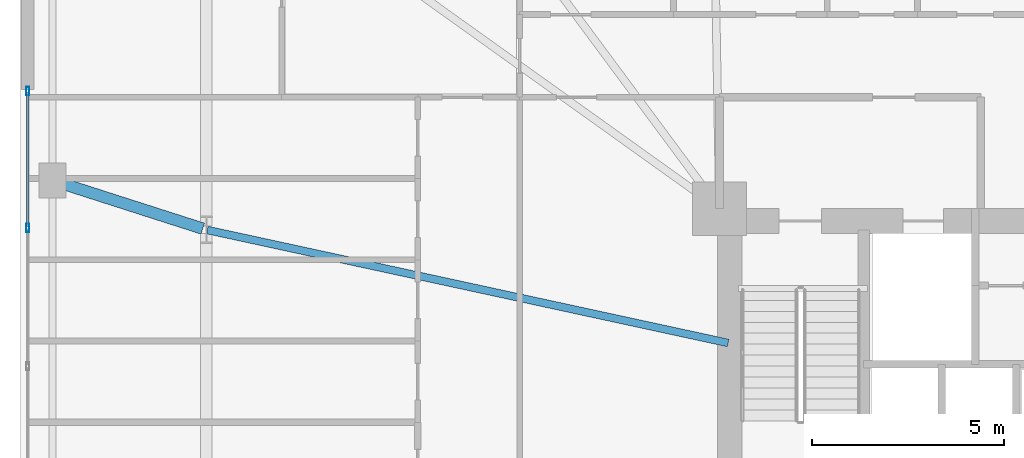
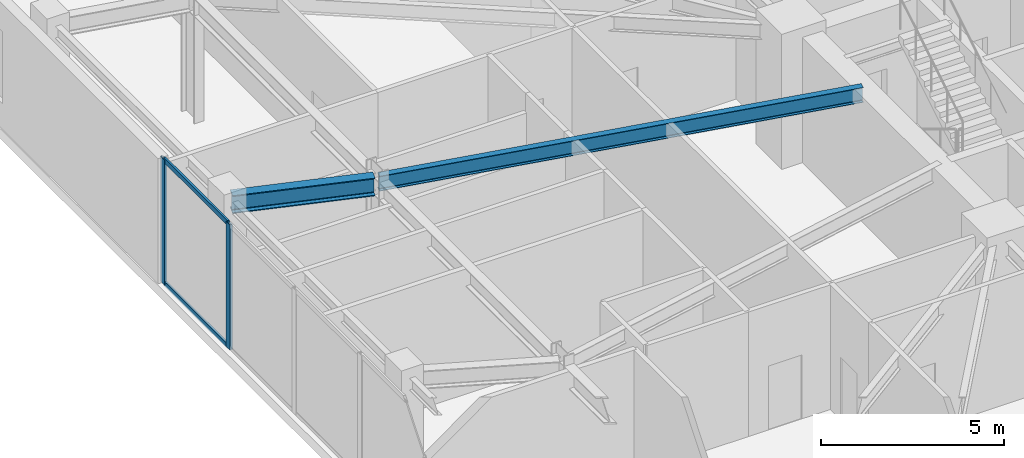
# One storey, part 7 of 21: 4 members, 2 beams, 1 element without a shape of its own.
"""IFC4 building model written with IfcOpenShell, lengths in metres."""

import ifcopenshell
import ifcopenshell.guid

model = None  # the IFC model being written
_history = None  # IfcOwnerHistory: only IFC2X3 demands one
_inside = {}  # id of a spatial element -> (the spatial element, [elements in it])
_under = {}  # id of a project, library or spatial element -> (it, [spatial elements below it])
_declared = {}  # id of a project -> (the project, [libraries it declares])
_typed = {}  # id of a type object -> (the type object, [elements of that type])
_made_of = {}  # id of a material, layer set ... -> (it, [elements and type objects made of it])


def new_model(schema):
    """Start an empty IFC model of exactly this schema.

    Asked for "IFC4X3", IfcOpenShell would pick the latest addendum, in which some entities
    have other attributes; the version numbers below select the first issue.
    IFC2X3 requires an IfcOwnerHistory on every rooted entity: one is made here for all.
    """
    global model, _history
    if schema == "IFC4X3":
        model = ifcopenshell.file(schema_version=(4, 3, 0, 0))
    else:
        model = ifcopenshell.file(schema=schema)
    _inside.clear()
    _under.clear()
    _declared.clear()
    _typed.clear()
    _made_of.clear()
    _history = None
    if model.schema == "IFC2X3":
        org = make("IfcOrganization", Name="unknown")
        user = make(
            "IfcPersonAndOrganization",
            ThePerson=make("IfcPerson", FamilyName="unknown"),
            TheOrganization=org,
        )
        app = make(
            "IfcApplication",
            ApplicationDeveloper=org,
            Version="unknown",
            ApplicationFullName="unknown",
            ApplicationIdentifier="unknown",
        )
        _history = make(
            "IfcOwnerHistory",
            OwningUser=user,
            OwningApplication=app,
            ChangeAction="ADDED",
            CreationDate=0,
        )
    return model


def make(cls, **values):
    """One entity of the class cls with the attributes given. An attribute that is None is left unset."""
    return model.create_entity(
        cls, **{name: value for name, value in values.items() if value is not None}
    )


def rooted(cls, **values):
    """An entity with a GlobalId (a new one), such as an element, a storey or a relation."""
    return make(cls, GlobalId=ifcopenshell.guid.new(), OwnerHistory=_history, **values)


def si_unit(unit_type, name, prefix=None):
    """IfcSIUnit, for example si_unit("LENGTHUNIT", "METRE", prefix="MILLI")."""
    return make("IfcSIUnit", UnitType=unit_type, Prefix=prefix, Name=name)


def assignment(units):
    """IfcUnitAssignment: the units of a project."""
    return None if units is None else make("IfcUnitAssignment", Units=units)


def point(xyz):
    """IfcCartesianPoint."""
    return None if xyz is None else make("IfcCartesianPoint", Coordinates=xyz)


def direction(xyz):
    """IfcDirection."""
    return None if xyz is None else make("IfcDirection", DirectionRatios=xyz)


def frame(location, z_axis=None, x_axis=None):
    """IfcAxis2Placement3D, a coordinate frame: its origin and axes. An axis left out is left unset."""
    return make(
        "IfcAxis2Placement3D",
        Location=point(location),
        Axis=direction(z_axis),
        RefDirection=direction(x_axis),
    )


def frame_2d(location, x_axis=None):
    """IfcAxis2Placement2D, a coordinate frame in the plane: its origin and x axis."""
    return make(
        "IfcAxis2Placement2D", Location=point(location), RefDirection=direction(x_axis)
    )


def origin():
    """The frame at (0, 0, 0) with its axes left unset."""
    return frame((0.0, 0.0, 0.0))


def origin_2d():
    """The frame at (0, 0) in the plane with its x axis left unset."""
    return frame_2d((0.0, 0.0))


def place(relative_to, where):
    """IfcLocalPlacement: puts the frame where relative to a parent placement (None: the world)."""
    return make(
        "IfcLocalPlacement", PlacementRelTo=relative_to, RelativePlacement=where
    )


def context(
    kind, dimensions, precision=None, world=None, true_north=None, identifier=None
):
    """IfcGeometricRepresentationContext, for example the 3D "Model" context."""
    return make(
        "IfcGeometricRepresentationContext",
        ContextIdentifier=identifier,
        ContextType=kind,
        CoordinateSpaceDimension=dimensions,
        Precision=precision,
        WorldCoordinateSystem=world,
        TrueNorth=true_north,
    )


def subcontext(parent, identifier, kind, view, scale=None):
    """IfcGeometricRepresentationSubContext, for example "Body" below "Model"."""
    return make(
        "IfcGeometricRepresentationSubContext",
        ContextIdentifier=identifier,
        ContextType=kind,
        ParentContext=parent,
        TargetScale=scale,
        TargetView=view,
    )


def project(units=None, contexts=None):
    """IfcProject with its units and contexts."""
    return rooted(
        "IfcProject",
        Name="project",
        RepresentationContexts=contexts,
        UnitsInContext=assignment(units),
    )


def spatial(cls, under=None, at=None, **own):
    """A site, building, storey or space (cls), placed at a placement, below another one or the project."""
    s = rooted(cls, ObjectPlacement=at, **own)
    if under is not None:
        _under.setdefault(under.id(), (under, []))[1].append(s)
    return s


def profile(cls, at=None, kind="AREA", **sizes):
    """A parametric profile (cls). Its sizes go by their IFC names, for example OverallWidth=200.0."""
    return make(cls, ProfileType=kind, Position=at, **sizes)


def hollow_rectangle(**sizes):
    """IfcRectangleHollowProfileDef."""
    return profile("IfcRectangleHollowProfileDef", **sizes)


def i_section(**sizes):
    """IfcIShapeProfileDef."""
    return profile("IfcIShapeProfileDef", **sizes)


def extrude(swept, where, along, depth):
    """IfcExtrudedAreaSolid: the profile swept, set in the frame where, extruded along a direction by depth."""
    return make(
        "IfcExtrudedAreaSolid",
        SweptArea=swept,
        Position=where,
        ExtrudedDirection=direction(along),
        Depth=depth,
    )


def shape(context_of_items, identifier, shape_type, items):
    """IfcShapeRepresentation: the items that make up one representation, for example the "Body"."""
    return make(
        "IfcShapeRepresentation",
        ContextOfItems=context_of_items,
        RepresentationIdentifier=identifier,
        RepresentationType=shape_type,
        Items=items,
    )


def material(Name=None, Category=None):
    """IfcMaterial."""
    return make("IfcMaterial", Name=Name, Category=Category)


def layer(
    of_material, thickness, ventilated=None, Name=None, Category=None, Priority=None
):
    """IfcMaterialLayer: one layer of a wall or slab, of a material (None: an air gap)."""
    return make(
        "IfcMaterialLayer",
        Material=of_material,
        LayerThickness=thickness,
        IsVentilated=ventilated,
        Name=Name,
        Category=Category,
        Priority=Priority,
    )


def layer_set(layers, Name=None):
    """IfcMaterialLayerSet."""
    return make("IfcMaterialLayerSet", MaterialLayers=layers, LayerSetName=Name)


def material_profile(
    of_material, cross_section, Name=None, Category=None, Priority=None
):
    """IfcMaterialProfile: a cross section and its material."""
    return make(
        "IfcMaterialProfile",
        Name=Name,
        Material=of_material,
        Profile=cross_section,
        Priority=Priority,
        Category=Category,
    )


def profile_set(profiles, Name=None, composite=None):
    """IfcMaterialProfileSet."""
    return make(
        "IfcMaterialProfileSet",
        Name=Name,
        MaterialProfiles=profiles,
        CompositeProfile=composite,
    )


def made_of(thing, what):
    """Note that an element or type object is made of a material, layer set ...; save() writes the relation."""
    if what is not None:
        _made_of.setdefault(what.id(), (what, []))[1].append(thing)
    return thing


def type_object(cls, material=None, **own):
    """A type object (cls), such as IfcWallType, which elements share."""
    return made_of(rooted(cls, **own), material)


def element(
    cls,
    number,
    at=None,
    inside=None,
    cuts=None,
    type_object=None,
    material=None,
    context=None,
    identifier="Body",
    shape_type=None,
    held_by="IfcProductDefinitionShape",
    body=None,
    shapes=None,
    **own,
):
    """One element of the class cls, such as IfcWall. Its Tag is "e" and its number.

    at: its placement. inside: the storey or other place that contains it. cuts: it is an
    opening in that element (IfcRelVoidsElement). A single representation is given by context,
    identifier, shape_type and body (its items); several are given by shapes. held_by: the class
    of the entity that holds the representations. save() writes the other relations.
    """
    e = rooted(cls, Tag="e%d" % number, ObjectPlacement=at, **own)
    if body is not None:
        shapes = [shape(context, identifier, shape_type, body)]
    if shapes is not None:
        e.Representation = make(held_by, Representations=shapes)
    if inside is not None:
        _inside.setdefault(inside.id(), (inside, []))[1].append(e)
    if cuts is not None:
        rooted(
            "IfcRelVoidsElement", RelatingBuildingElement=cuts, RelatedOpeningElement=e
        )
    if type_object is not None:
        _typed.setdefault(type_object.id(), (type_object, []))[1].append(e)
    return made_of(e, material)


def aggregate(whole, parts):
    """IfcRelAggregates: a whole, such as a stair, and the parts it consists of."""
    return rooted("IfcRelAggregates", RelatingObject=whole, RelatedObjects=parts)


def save(model, path):
    """Write the relations noted so far, then the file.

    IfcRelAggregates (storeys below a building ...), IfcRelContainedInSpatialStructure (elements
    in a storey), IfcRelDefinesByType, IfcRelAssociatesMaterial and IfcRelDeclares: one each for
    every whole, place, type object, material and project.
    """
    for whole, parts in _under.values():
        aggregate(whole, parts)
    for where, things in _inside.values():
        rooted(
            "IfcRelContainedInSpatialStructure",
            RelatedElements=things,
            RelatingStructure=where,
        )
    for kind, things in _typed.values():
        rooted("IfcRelDefinesByType", RelatedObjects=things, RelatingType=kind)
    for what, things in _made_of.values():
        rooted("IfcRelAssociatesMaterial", RelatedObjects=things, RelatingMaterial=what)
    for by, libraries in _declared.values():
        rooted("IfcRelDeclares", RelatingContext=by, RelatedDefinitions=libraries)
    model.write(path)


model = new_model("IFC4")

# Units and contexts
model_context = context("Model", 3, precision=1e-05, world=origin(), true_north=direction((0.0, 1.0)))
body_context = subcontext(model_context, "Body", "Model", "MODEL_VIEW")
ifc_project = project(units=[si_unit("LENGTHUNIT", "METRE"), si_unit("AREAUNIT", "SQUARE_METRE"), si_unit("VOLUMEUNIT", "CUBIC_METRE"), si_unit("PLANEANGLEUNIT", "RADIAN"), si_unit("MASSUNIT", "GRAM", prefix="KILO")], contexts=[model_context])

# Site, building, storey
site_placement = place(None, origin())
site = spatial("IfcSite", under=ifc_project, at=site_placement, CompositionType="ELEMENT")
building_placement = place(site_placement, origin())
building = spatial("IfcBuilding", under=site, at=building_placement, Name="Qobustan Lattice House", CompositionType="ELEMENT")
storey_placement = place(building_placement, frame((0.0, 0.0, 18.0)))
storey = spatial("IfcBuildingStorey", under=building, at=storey_placement, Name="L04", CompositionType="ELEMENT", Elevation=18.0)

# Beams
ifc_material_1 = material(Name="Steel S355", Category="steel")
ifc_material_profile_1 = material_profile(ifc_material_1, i_section(OverallWidth=0.199951171875, OverallDepth=0.5, WebThickness=0.01025390625, FlangeThickness=0.01611328125, FilletRadius=0.02099609375, at=origin_2d()), Name="IPE500")
ifc_profile_set_1 = profile_set([ifc_material_profile_1], Name="Steel S355")
beam_type_1 = type_object("IfcBeamType", Name="BM-FLG-IPE500", PredefinedType="USERDEFINED", material=ifc_profile_set_1)
beam_1_placement = place(storey_placement, frame((-32.12548828125, 5.044677734375, 3.919921875), z_axis=(0.97727240275, -0.211987383643, 0.0), x_axis=(0.211987383643, 0.97727240275, 0.0)))
element("IfcBeam", 1, at=beam_1_placement, inside=storey, type_object=beam_type_1, Name="L04 primary floor girder RAD-W2", ObjectType="GIRDER", PredefinedType="USERDEFINED", context=body_context, shape_type="SweptSolid", body=[
    extrude(i_section(OverallWidth=0.199951171875, OverallDepth=0.5, WebThickness=0.01025390625, FlangeThickness=0.01611328125, FilletRadius=0.02099609375, at=origin_2d()), origin(), (0.0, 0.0, 1.0), 13.8662109375),
])
ifc_material_2 = material(Name="Steel S355", Category="steel")
ifc_material_profile_2 = material_profile(ifc_material_2, i_section(OverallWidth=0.300048828125, OverallDepth=0.60009765625, WebThickness=0.015380859375, FlangeThickness=0.030029296875, FilletRadius=0.027099609375, at=origin_2d()), Name="HEB600")
ifc_profile_set_2 = profile_set([ifc_material_profile_2], Name="Steel S355")
beam_type_2 = type_object("IfcBeamType", Name="BM-POD-HEB600", PredefinedType="USERDEFINED", material=ifc_profile_set_2)
beam_2_placement = place(storey_placement, frame((-36.03564453125, 6.296630859375, 3.8701171875), z_axis=(0.952198151545, -0.305481063561, 0.0), x_axis=(0.305481063561, 0.952198151545, 0.0)))
element("IfcBeam", 2, at=beam_2_placement, inside=storey, type_object=beam_type_2, Name="L04 podium radial girder PW3", ObjectType="GIRDER", PredefinedType="USERDEFINED", context=body_context, shape_type="SweptSolid", body=[
    extrude(i_section(OverallWidth=0.300048828125, OverallDepth=0.60009765625, WebThickness=0.015380859375, FlangeThickness=0.030029296875, FilletRadius=0.027099609375, at=origin_2d()), origin(), (0.0, 0.0, 1.0), 3.980712890625),
])

# Curtain wall, members
ifc_material_3 = material(Name="Anodised aluminium and low-E glazing", Category="aluminium")
ifc_layer = layer(ifc_material_3, 0.219970703125)
ifc_layer_set = layer_set([ifc_layer], Name="Anodised aluminium and low-E glazing")
curtain_wall_type = type_object("IfcCurtainWallType", Name="CW-POD-01", PredefinedType="USERDEFINED", material=ifc_layer_set)
curtain_wall_placement = place(storey_placement, origin())
curtain_wall = element("IfcCurtainWall", 3, at=curtain_wall_placement, inside=storey, type_object=curtain_wall_type, Name="L04 W podium colonnade curtain wall", ObjectType="CURTAIN WALL", PredefinedType="USERDEFINED")
ifc_material_4 = material(Name="Anodised aluminium EN AW-6063 T6", Category="aluminium")
ifc_material_profile_3 = material_profile(ifc_material_4, hollow_rectangle(XDim=0.080078125, YDim=0.219970703125, WallThickness=0.0048828125, at=origin_2d()), Name="CWM-220x80")
ifc_profile_set_3 = profile_set([ifc_material_profile_3], Name="Anodised aluminium EN AW-6063 T6")
member_type_1 = type_object("IfcMemberType", Name="CWM-MAIN-220", PredefinedType="MULLION", material=ifc_profile_set_3)
member_1_placement = place(storey_placement, frame((-36.800048828125, 5.10009765625, 0.0), z_axis=(0.0, 0.0, 1.0), x_axis=(-1.0, 0.0, 0.0)))
member_1 = element("IfcMember", 4, at=member_1_placement, type_object=member_type_1, Name="CW-P1 mullion 4", PredefinedType="MULLION", context=body_context, shape_type="SweptSolid", body=[
    extrude(hollow_rectangle(XDim=0.080078125, YDim=0.219970703125, WallThickness=0.0048828125, at=origin_2d()), origin(), (0.0, 0.0, 1.0), 4.169921875),
])
member_2_placement = place(storey_placement, frame((-36.800048828125, 8.659912109375, 0.0), z_axis=(0.0, 0.0, 1.0), x_axis=(-1.0, 0.0, 0.0)))
member_2 = element("IfcMember", 5, at=member_2_placement, type_object=member_type_1, Name="CW-P1 mullion 5", PredefinedType="MULLION", context=body_context, shape_type="SweptSolid", body=[
    extrude(hollow_rectangle(XDim=0.080078125, YDim=0.219970703125, WallThickness=0.0048828125, at=origin_2d()), origin(), (0.0, 0.0, 1.0), 4.169921875),
])
ifc_material_5 = material(Name="Anodised aluminium EN AW-6063 T6", Category="aluminium")
ifc_material_profile_4 = material_profile(ifc_material_5, hollow_rectangle(XDim=0.06494140625, YDim=0.159912109375, WallThickness=0.00390625, at=origin_2d()), Name="CWT-160x65")
ifc_profile_set_4 = profile_set([ifc_material_profile_4], Name="Anodised aluminium EN AW-6063 T6")
member_type_2 = type_object("IfcMemberType", Name="CWT-HOR-160", PredefinedType="USERDEFINED", material=ifc_profile_set_4)
member_3_placement = place(storey_placement, frame((-36.800048828125, 5.139892578125, 0.032470703125), z_axis=(0.0, 1.0, 0.0), x_axis=(-1.0, 0.0, 0.0)))
member_3 = element("IfcMember", 6, at=member_3_placement, type_object=member_type_2, Name="CW-P1 transom 4.1", ObjectType="TRANSOM", PredefinedType="USERDEFINED", context=body_context, shape_type="SweptSolid", body=[
    extrude(hollow_rectangle(XDim=0.06494140625, YDim=0.159912109375, WallThickness=0.00390625, at=origin_2d()), origin(), (0.0, 0.0, 1.0), 3.480224609375),
])
member_4_placement = place(storey_placement, frame((-36.800048828125, 5.139892578125, 4.137451171875), z_axis=(0.0, 1.0, 0.0), x_axis=(-1.0, 0.0, 0.0)))
member_4 = element("IfcMember", 7, at=member_4_placement, type_object=member_type_2, Name="CW-P1 transom 4.2", ObjectType="TRANSOM", PredefinedType="USERDEFINED", context=body_context, shape_type="SweptSolid", body=[
    extrude(hollow_rectangle(XDim=0.06494140625, YDim=0.159912109375, WallThickness=0.00390625, at=origin_2d()), origin(), (0.0, 0.0, 1.0), 3.480224609375),
])
aggregate(curtain_wall, [member_1, member_2, member_3, member_4])

save(model, "model.ifc")
